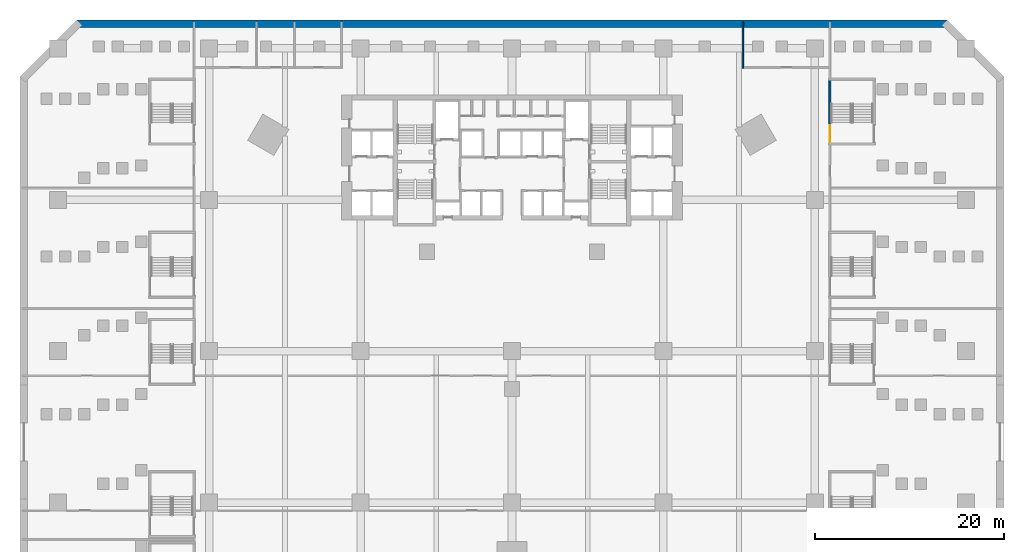
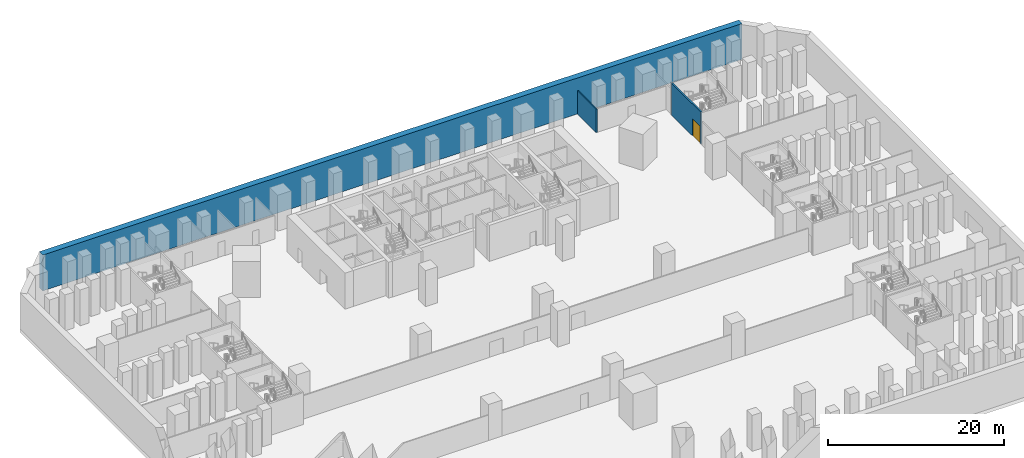
# One storey, part 11 of 24: 3 walls, 1 door, 1 opening.
"""IFC4 building model written with IfcOpenShell, lengths in metres."""

import ifcopenshell
import ifcopenshell.guid

model = None  # the IFC model being written
_history = None  # IfcOwnerHistory: only IFC2X3 demands one
_inside = {}  # id of a spatial element -> (the spatial element, [elements in it])
_under = {}  # id of a project, library or spatial element -> (it, [spatial elements below it])
_declared = {}  # id of a project -> (the project, [libraries it declares])
_typed = {}  # id of a type object -> (the type object, [elements of that type])
_made_of = {}  # id of a material, layer set ... -> (it, [elements and type objects made of it])


def new_model(schema):
    """Start an empty IFC model of exactly this schema.

    Asked for "IFC4X3", IfcOpenShell would pick the latest addendum, in which some entities
    have other attributes; the version numbers below select the first issue.
    IFC2X3 requires an IfcOwnerHistory on every rooted entity: one is made here for all.
    """
    global model, _history
    if schema == "IFC4X3":
        model = ifcopenshell.file(schema_version=(4, 3, 0, 0))
    else:
        model = ifcopenshell.file(schema=schema)
    _inside.clear()
    _under.clear()
    _declared.clear()
    _typed.clear()
    _made_of.clear()
    _history = None
    if model.schema == "IFC2X3":
        org = make("IfcOrganization", Name="unknown")
        user = make(
            "IfcPersonAndOrganization",
            ThePerson=make("IfcPerson", FamilyName="unknown"),
            TheOrganization=org,
        )
        app = make(
            "IfcApplication",
            ApplicationDeveloper=org,
            Version="unknown",
            ApplicationFullName="unknown",
            ApplicationIdentifier="unknown",
        )
        _history = make(
            "IfcOwnerHistory",
            OwningUser=user,
            OwningApplication=app,
            ChangeAction="ADDED",
            CreationDate=0,
        )
    return model


def make(cls, **values):
    """One entity of the class cls with the attributes given. An attribute that is None is left unset."""
    return model.create_entity(
        cls, **{name: value for name, value in values.items() if value is not None}
    )


def rooted(cls, **values):
    """An entity with a GlobalId (a new one), such as an element, a storey or a relation."""
    return make(cls, GlobalId=ifcopenshell.guid.new(), OwnerHistory=_history, **values)


def si_unit(unit_type, name, prefix=None):
    """IfcSIUnit, for example si_unit("LENGTHUNIT", "METRE", prefix="MILLI")."""
    return make("IfcSIUnit", UnitType=unit_type, Prefix=prefix, Name=name)


def assignment(units):
    """IfcUnitAssignment: the units of a project."""
    return None if units is None else make("IfcUnitAssignment", Units=units)


def point(xyz):
    """IfcCartesianPoint."""
    return None if xyz is None else make("IfcCartesianPoint", Coordinates=xyz)


def direction(xyz):
    """IfcDirection."""
    return None if xyz is None else make("IfcDirection", DirectionRatios=xyz)


def frame(location, z_axis=None, x_axis=None):
    """IfcAxis2Placement3D, a coordinate frame: its origin and axes. An axis left out is left unset."""
    return make(
        "IfcAxis2Placement3D",
        Location=point(location),
        Axis=direction(z_axis),
        RefDirection=direction(x_axis),
    )


def frame_2d(location, x_axis=None):
    """IfcAxis2Placement2D, a coordinate frame in the plane: its origin and x axis."""
    return make(
        "IfcAxis2Placement2D", Location=point(location), RefDirection=direction(x_axis)
    )


def origin():
    """The frame at (0, 0, 0) with its axes left unset."""
    return frame((0.0, 0.0, 0.0))


def place(relative_to, where):
    """IfcLocalPlacement: puts the frame where relative to a parent placement (None: the world)."""
    return make(
        "IfcLocalPlacement", PlacementRelTo=relative_to, RelativePlacement=where
    )


def context(
    kind, dimensions, precision=None, world=None, true_north=None, identifier=None
):
    """IfcGeometricRepresentationContext, for example the 3D "Model" context."""
    return make(
        "IfcGeometricRepresentationContext",
        ContextIdentifier=identifier,
        ContextType=kind,
        CoordinateSpaceDimension=dimensions,
        Precision=precision,
        WorldCoordinateSystem=world,
        TrueNorth=true_north,
    )


def subcontext(parent, identifier, kind, view, scale=None):
    """IfcGeometricRepresentationSubContext, for example "Body" below "Model"."""
    return make(
        "IfcGeometricRepresentationSubContext",
        ContextIdentifier=identifier,
        ContextType=kind,
        ParentContext=parent,
        TargetScale=scale,
        TargetView=view,
    )


def project(units=None, contexts=None):
    """IfcProject with its units and contexts."""
    return rooted(
        "IfcProject",
        Name="project",
        RepresentationContexts=contexts,
        UnitsInContext=assignment(units),
    )


def spatial(cls, under=None, at=None, **own):
    """A site, building, storey or space (cls), placed at a placement, below another one or the project."""
    s = rooted(cls, ObjectPlacement=at, **own)
    if under is not None:
        _under.setdefault(under.id(), (under, []))[1].append(s)
    return s


def profile(cls, at=None, kind="AREA", **sizes):
    """A parametric profile (cls). Its sizes go by their IFC names, for example OverallWidth=200.0."""
    return make(cls, ProfileType=kind, Position=at, **sizes)


def rectangle(**sizes):
    """IfcRectangleProfileDef."""
    return profile("IfcRectangleProfileDef", **sizes)


def extrude(swept, where, along, depth):
    """IfcExtrudedAreaSolid: the profile swept, set in the frame where, extruded along a direction by depth."""
    return make(
        "IfcExtrudedAreaSolid",
        SweptArea=swept,
        Position=where,
        ExtrudedDirection=direction(along),
        Depth=depth,
    )


def shape(context_of_items, identifier, shape_type, items):
    """IfcShapeRepresentation: the items that make up one representation, for example the "Body"."""
    return make(
        "IfcShapeRepresentation",
        ContextOfItems=context_of_items,
        RepresentationIdentifier=identifier,
        RepresentationType=shape_type,
        Items=items,
    )


def material(Name=None, Category=None):
    """IfcMaterial."""
    return make("IfcMaterial", Name=Name, Category=Category)


def layer(
    of_material, thickness, ventilated=None, Name=None, Category=None, Priority=None
):
    """IfcMaterialLayer: one layer of a wall or slab, of a material (None: an air gap)."""
    return make(
        "IfcMaterialLayer",
        Material=of_material,
        LayerThickness=thickness,
        IsVentilated=ventilated,
        Name=Name,
        Category=Category,
        Priority=Priority,
    )


def layer_set(layers, Name=None):
    """IfcMaterialLayerSet."""
    return make("IfcMaterialLayerSet", MaterialLayers=layers, LayerSetName=Name)


def made_of(thing, what):
    """Note that an element or type object is made of a material, layer set ...; save() writes the relation."""
    if what is not None:
        _made_of.setdefault(what.id(), (what, []))[1].append(thing)
    return thing


def type_object(cls, material=None, **own):
    """A type object (cls), such as IfcWallType, which elements share."""
    return made_of(rooted(cls, **own), material)


def element(
    cls,
    number,
    at=None,
    inside=None,
    cuts=None,
    type_object=None,
    material=None,
    context=None,
    identifier="Body",
    shape_type=None,
    held_by="IfcProductDefinitionShape",
    body=None,
    shapes=None,
    **own,
):
    """One element of the class cls, such as IfcWall. Its Tag is "e" and its number.

    at: its placement. inside: the storey or other place that contains it. cuts: it is an
    opening in that element (IfcRelVoidsElement). A single representation is given by context,
    identifier, shape_type and body (its items); several are given by shapes. held_by: the class
    of the entity that holds the representations. save() writes the other relations.
    """
    e = rooted(cls, Tag="e%d" % number, ObjectPlacement=at, **own)
    if body is not None:
        shapes = [shape(context, identifier, shape_type, body)]
    if shapes is not None:
        e.Representation = make(held_by, Representations=shapes)
    if inside is not None:
        _inside.setdefault(inside.id(), (inside, []))[1].append(e)
    if cuts is not None:
        rooted(
            "IfcRelVoidsElement", RelatingBuildingElement=cuts, RelatedOpeningElement=e
        )
    if type_object is not None:
        _typed.setdefault(type_object.id(), (type_object, []))[1].append(e)
    return made_of(e, material)


def fill(opening, filler):
    """IfcRelFillsElement: the door or window that sits in an opening."""
    return rooted(
        "IfcRelFillsElement",
        RelatingOpeningElement=opening,
        RelatedBuildingElement=filler,
    )


def aggregate(whole, parts):
    """IfcRelAggregates: a whole, such as a stair, and the parts it consists of."""
    return rooted("IfcRelAggregates", RelatingObject=whole, RelatedObjects=parts)


def save(model, path):
    """Write the relations noted so far, then the file.

    IfcRelAggregates (storeys below a building ...), IfcRelContainedInSpatialStructure (elements
    in a storey), IfcRelDefinesByType, IfcRelAssociatesMaterial and IfcRelDeclares: one each for
    every whole, place, type object, material and project.
    """
    for whole, parts in _under.values():
        aggregate(whole, parts)
    for where, things in _inside.values():
        rooted(
            "IfcRelContainedInSpatialStructure",
            RelatedElements=things,
            RelatingStructure=where,
        )
    for kind, things in _typed.values():
        rooted("IfcRelDefinesByType", RelatedObjects=things, RelatingType=kind)
    for what, things in _made_of.values():
        rooted("IfcRelAssociatesMaterial", RelatedObjects=things, RelatingMaterial=what)
    for by, libraries in _declared.values():
        rooted("IfcRelDeclares", RelatingContext=by, RelatedDefinitions=libraries)
    model.write(path)


model = new_model("IFC4")

# Units and contexts
model_context = context("Model", 3, precision=1e-05, world=origin(), true_north=direction((0.0, 1.0)))
body_context = subcontext(model_context, "Body", "Model", "MODEL_VIEW")
ifc_project = project(units=[si_unit("LENGTHUNIT", "METRE"), si_unit("AREAUNIT", "SQUARE_METRE"), si_unit("VOLUMEUNIT", "CUBIC_METRE"), si_unit("PLANEANGLEUNIT", "RADIAN"), si_unit("MASSUNIT", "GRAM", prefix="KILO")], contexts=[model_context])

# Site, building, storey
site_placement = place(None, origin())
site = spatial("IfcSite", under=ifc_project, at=site_placement, CompositionType="ELEMENT")
building_placement = place(site_placement, origin())
building = spatial("IfcBuilding", under=site, at=building_placement, Name="Calabash Gate Tower", CompositionType="ELEMENT")
storey_placement = place(building_placement, frame((0.0, 0.0, -5.0)))
storey = spatial("IfcBuildingStorey", under=building, at=storey_placement, Name="B1", CompositionType="ELEMENT", Elevation=-5.0)

# Walls
ifc_material_1 = material(Name="Concrete C60/75", Category="concrete")
ifc_layer_1 = layer(ifc_material_1, 0.800048828125)
ifc_layer_set_1 = layer_set([ifc_layer_1], Name="Diaphragm wall 800 Concrete C60/75")
wall_type_1 = type_object("IfcWallType", Name="Diaphragm wall 800 Concrete C60/75", PredefinedType="SHEAR", material=ifc_layer_set_1)
wall_1_placement = place(storey_placement, frame((46.0, 26.60009765625, 0.0), z_axis=(0.0, 0.0, 1.0), x_axis=(-1.0, 0.0, 0.0)))
element("IfcWall", 1, at=wall_1_placement, inside=storey, type_object=wall_type_1, Name="Diaphragm wall B1", PredefinedType="SHEAR", context=body_context, shape_type="SweptSolid", body=[
    extrude(rectangle(XDim=92.0, YDim=0.800048828125, at=frame_2d((46.0, 0.0))), origin(), (0.0, 0.0, 1.0), 5.0),
])
ifc_material_2 = material(Name="Gypsum board on steel studs, mineral wool", Category="steel")
ifc_layer_2 = layer(ifc_material_2, 0.14990234375)
ifc_layer_set_2 = layer_set([ifc_layer_2], Name="Partition 150 gypsum board")
wall_type_2 = type_object("IfcWallType", Name="Partition 150 gypsum board", PredefinedType="PARTITIONING", material=ifc_layer_set_2)
wall_2_placement = place(storey_placement, frame((24.39990234375, 21.925048828125, 0.0), z_axis=(0.0, 0.0, 1.0), x_axis=(0.0, 1.0, 0.0)))
element("IfcWall", 2, at=wall_2_placement, inside=storey, type_object=wall_type_2, Name="Partition", PredefinedType="PARTITIONING", context=body_context, shape_type="SweptSolid", body=[
    extrude(rectangle(XDim=4.849853515625, YDim=0.14990234375, at=frame_2d((2.4248046875, 0.0))), origin(), (0.0, 0.0, 1.0), 3.25),
])

# Wall, opening, door
ifc_material_3 = material(Name="Concrete C40/50", Category="concrete")
ifc_layer_3 = layer(ifc_material_3, 0.199951171875)
ifc_layer_set_3 = layer_set([ifc_layer_3], Name="Stair wall 200 Concrete C40/50")
wall_type_3 = type_object("IfcWallType", Name="Stair wall 200 Concrete C40/50", PredefinedType="SOLIDWALL", material=ifc_layer_set_3)
wall_3_placement = place(storey_placement, frame((33.60009765625, 14.0, 0.0), z_axis=(0.0, 0.0, 1.0), x_axis=(0.0, 1.0, 0.0)))
wall_3 = element("IfcWall", 3, at=wall_3_placement, inside=storey, type_object=wall_type_3, Name="Stair wall", PredefinedType="SOLIDWALL", context=body_context, shape_type="SweptSolid", body=[
    extrude(rectangle(XDim=6.64990234375, YDim=0.199951171875, at=frame_2d((3.324951171875, 0.0))), origin(), (0.0, 0.0, 1.0), 4.449951171875),
])
opening_placement = place(wall_3_placement, frame((0.10009765625, 0.0, 0.0)))
opening = element("IfcOpeningElement", 4, at=opening_placement, cuts=wall_3, Name="Opening B1-040", PredefinedType="OPENING", context=body_context, shape_type="SweptSolid", body=[
    extrude(rectangle(XDim=1.800048828125, YDim=2.39990234375, at=frame_2d((0.89990234375, 1.199951171875))), frame((0.0, 0.10986328125, 0.0), z_axis=(0.0, -1.0, 0.0), x_axis=(1.0, 0.0, 0.0)), (0.0, 0.0, 1.0), 0.219970703125),
])
ifc_material_4 = material(Name="Steel fire door set with fire-resisting glazing", Category="steel")
door_type = type_object("IfcDoorType", Name="Double fire door D16 1800x2400 FD90", OperationType="DOUBLE_DOOR_SINGLE_SWING", PredefinedType="DOOR", material=ifc_material_4)
door_placement = place(opening_placement, origin())
door = element("IfcDoor", 5, at=door_placement, inside=storey, type_object=door_type, Name="Exit stair door PS10", OperationType="DOUBLE_DOOR_SINGLE_SWING", OverallHeight=2.39990234375, OverallWidth=1.800048828125, PredefinedType="DOOR", context=body_context, shape_type="SweptSolid", body=[
    extrude(rectangle(XDim=1.800048828125, YDim=2.39990234375, at=frame_2d((0.89990234375, 1.199951171875))), frame((0.0, 0.02490234375, 0.0), z_axis=(0.0, -1.0, 0.0), x_axis=(1.0, 0.0, 0.0)), (0.0, 0.0, 1.0), 0.050048828125),
])
fill(opening, door)

save(model, "model.ifc")
